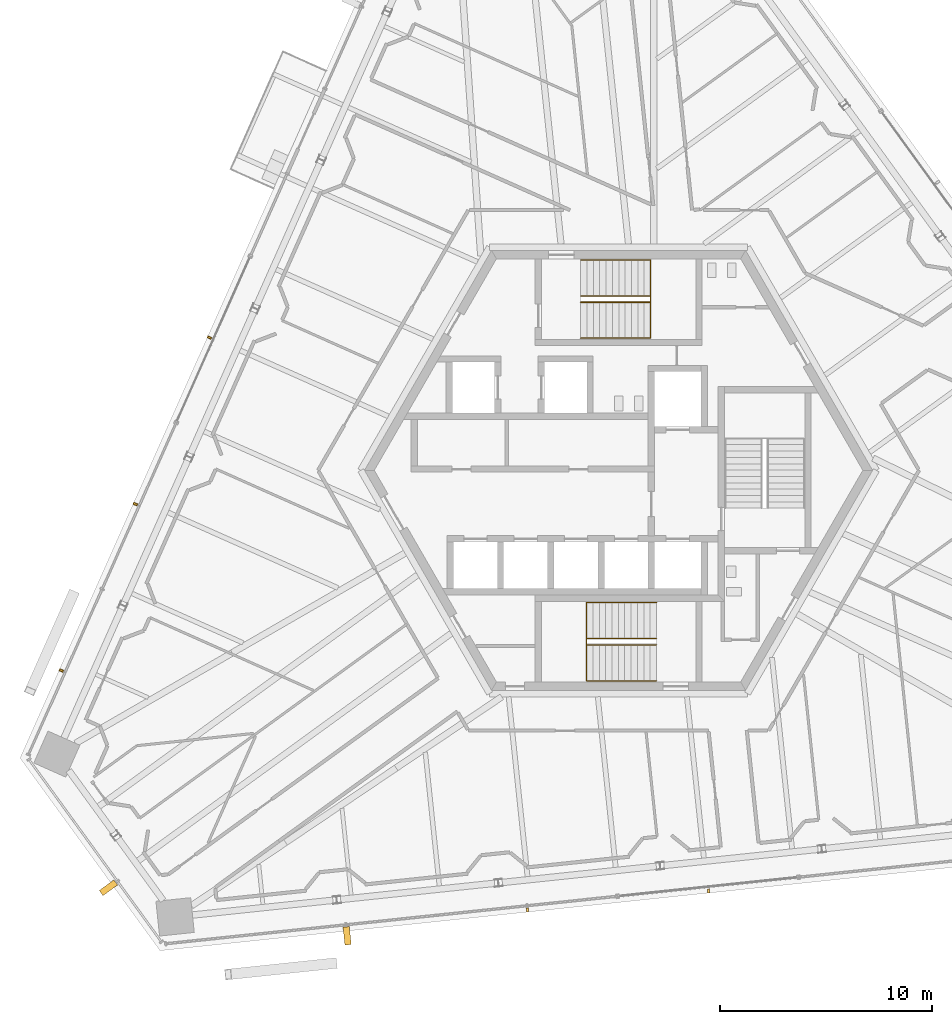
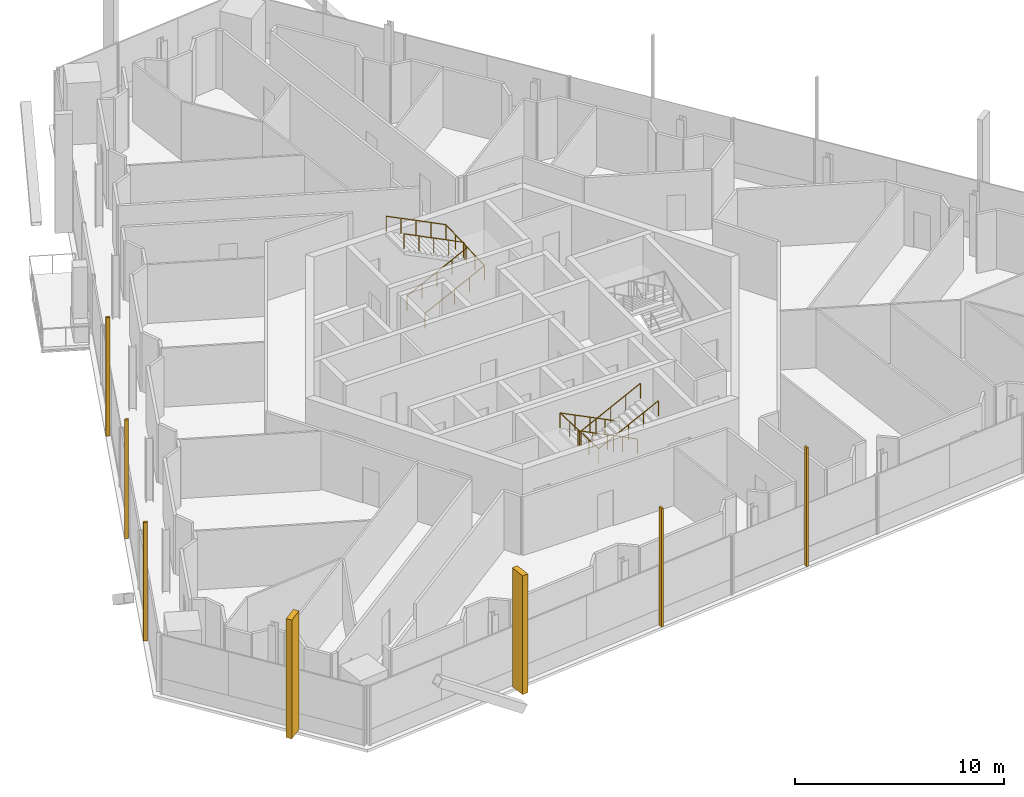
# One storey, part 16 of 21: 7 shading devices, 4 railings.
"""IFC4 building model written with IfcOpenShell, lengths in metres."""

from ifc_helpers import new_model, si_unit, direction, frame, origin, origin_2d, place, context, subcontext, project, spatial, rectangle, circle, extrude, source, transform, mapped, material, type_object, element, save


model = new_model("IFC4")

# Units and contexts
model_context = context("Model", 3, precision=1e-05, world=origin(), true_north=direction((0.0, 1.0)))
body_context = subcontext(model_context, "Body", "Model", "MODEL_VIEW")
ifc_project = project(units=[si_unit("LENGTHUNIT", "METRE"), si_unit("AREAUNIT", "SQUARE_METRE"), si_unit("VOLUMEUNIT", "CUBIC_METRE"), si_unit("PLANEANGLEUNIT", "RADIAN"), si_unit("MASSUNIT", "GRAM", prefix="KILO")], contexts=[model_context])

# Site, building, storey
site_placement = place(None, origin())
site = spatial("IfcSite", under=ifc_project, at=site_placement, CompositionType="ELEMENT")
building_placement = place(site_placement, origin())
building = spatial("IfcBuilding", under=site, at=building_placement, Name="Triune Harvest Tower", CompositionType="ELEMENT")
storey_placement = place(building_placement, frame((0.0, 0.0, 248.5)))
storey = spatial("IfcBuildingStorey", under=building, at=storey_placement, Name="L65", CompositionType="ELEMENT", Elevation=248.5)

# Railings
ifc_material_1 = material(Name="Stainless steel AISI 316", Category="steel")
railing_type = type_object("IfcRailingType", Name="Stair handrail", PredefinedType="HANDRAIL", material=ifc_material_1)
shared_shape_1 = source(origin(), body_context, "Body", "SweptSolid", [
    extrude(circle(Radius=0.02392578125, at=origin_2d()), frame((0.0, 0.0, 0.8759765625), z_axis=(0.894413956696, 0.0, 0.447240063129), x_axis=(0.0, 1.0, 0.0)), (0.0, 0.0, 1.0), 3.689697265625),
    extrude(circle(Radius=0.02392578125, at=origin_2d()), frame((3.300048828125, 0.0, 2.52587890625), z_axis=(0.0, 0.999180289278, 0.040481471304), x_axis=(-1.0, 0.0, 0.0)), (0.0, 0.0, 1.0), 3.702880859375),
    extrude(circle(Radius=0.02392578125, at=origin_2d()), frame((3.300048828125, 3.699951171875, 2.67578125), z_axis=(-0.894413956696, 0.0, 0.447240063129), x_axis=(0.0, -1.0, 0.0)), (0.0, 0.0, 1.0), 3.689697265625),
    extrude(circle(Radius=0.02099609375, at=origin_2d()), origin(), (0.0, 0.0, 1.0), 0.851806640625),
    extrude(circle(Radius=0.02099609375, at=origin_2d()), frame((0.824951171875, 0.0, 0.41259765625)), (0.0, 0.0, 1.0), 0.851806640625),
    extrude(circle(Radius=0.02099609375, at=origin_2d()), frame((1.64990234375, 0.0, 0.8251953125)), (0.0, 0.0, 1.0), 0.851806640625),
    extrude(circle(Radius=0.02099609375, at=origin_2d()), frame((2.47509765625, 0.0, 1.237548828125)), (0.0, 0.0, 1.0), 0.851806640625),
    extrude(circle(Radius=0.02099609375, at=origin_2d()), frame((3.300048828125, 0.0, 1.650146484375)), (0.0, 0.0, 1.0), 0.851806640625),
    extrude(circle(Radius=0.02099609375, at=origin_2d()), frame((3.300048828125, 0.925048828125, 1.6875)), (0.0, 0.0, 1.0), 0.851806640625),
    extrude(circle(Radius=0.02099609375, at=origin_2d()), frame((3.300048828125, 1.85009765625, 1.72509765625)), (0.0, 0.0, 1.0), 0.851806640625),
    extrude(circle(Radius=0.02099609375, at=origin_2d()), frame((3.300048828125, 2.77490234375, 1.7626953125)), (0.0, 0.0, 1.0), 0.851806640625),
    extrude(circle(Radius=0.02099609375, at=origin_2d()), frame((3.300048828125, 3.699951171875, 1.800048828125)), (0.0, 0.0, 1.0), 0.851806640625),
    extrude(circle(Radius=0.02099609375, at=origin_2d()), frame((2.47509765625, 3.699951171875, 2.212646484375)), (0.0, 0.0, 1.0), 0.851806640625),
    extrude(circle(Radius=0.02099609375, at=origin_2d()), frame((1.64990234375, 3.699951171875, 2.625)), (0.0, 0.0, 1.0), 0.851806640625),
    extrude(circle(Radius=0.02099609375, at=origin_2d()), frame((0.824951171875, 3.699951171875, 3.03759765625)), (0.0, 0.0, 1.0), 0.851806640625),
    extrude(circle(Radius=0.02099609375, at=origin_2d()), frame((0.0, 3.699951171875, 3.4501953125)), (0.0, 0.0, 1.0), 0.851806640625),
])
railing_1_placement = place(storey_placement, frame((-1.7900390625, 6.239990234375, 0.14990234375)))
element("IfcRailing", 1, at=railing_1_placement, inside=storey, type_object=railing_type, Name="Exit stair north wall handrail", PredefinedType="HANDRAIL", context=body_context, shape_type="MappedRepresentation", body=[
    mapped(shared_shape_1, transform((0.0, 0.0, 0.0), scale=1.0)),
])
shared_shape_2 = source(origin(), body_context, "Body", "SweptSolid", [
    extrude(circle(Radius=0.02392578125, at=origin_2d()), frame((0.0, 0.0, 0.8759765625), z_axis=(0.894413956696, 0.0, 0.447240063129), x_axis=(0.0, 1.0, 0.0)), (0.0, 0.0, 1.0), 3.689697265625),
    extrude(circle(Radius=0.02392578125, at=origin_2d()), frame((3.300048828125, 0.0, 2.52587890625), z_axis=(0.0, 0.894572720946, 0.446922417137), x_axis=(-1.0, 0.0, 0.0)), (0.0, 0.0, 1.0), 0.33544921875),
    extrude(circle(Radius=0.02392578125, at=origin_2d()), frame((3.300048828125, 0.300048828125, 2.67578125), z_axis=(-0.894413956696, 0.0, 0.447240063129), x_axis=(0.0, -1.0, 0.0)), (0.0, 0.0, 1.0), 3.689697265625),
    extrude(circle(Radius=0.02099609375, at=origin_2d()), origin(), (0.0, 0.0, 1.0), 0.851806640625),
    extrude(circle(Radius=0.02099609375, at=origin_2d()), frame((0.824951171875, 0.0, 0.41259765625)), (0.0, 0.0, 1.0), 0.851806640625),
    extrude(circle(Radius=0.02099609375, at=origin_2d()), frame((1.64990234375, 0.0, 0.8251953125)), (0.0, 0.0, 1.0), 0.851806640625),
    extrude(circle(Radius=0.02099609375, at=origin_2d()), frame((2.47509765625, 0.0, 1.237548828125)), (0.0, 0.0, 1.0), 0.851806640625),
    extrude(circle(Radius=0.02099609375, at=origin_2d()), frame((3.300048828125, 0.0, 1.650146484375)), (0.0, 0.0, 1.0), 0.851806640625),
    extrude(circle(Radius=0.02099609375, at=origin_2d()), frame((3.300048828125, 0.300048828125, 1.800048828125)), (0.0, 0.0, 1.0), 0.851806640625),
    extrude(circle(Radius=0.02099609375, at=origin_2d()), frame((2.47509765625, 0.300048828125, 2.212646484375)), (0.0, 0.0, 1.0), 0.851806640625),
    extrude(circle(Radius=0.02099609375, at=origin_2d()), frame((1.64990234375, 0.300048828125, 2.625)), (0.0, 0.0, 1.0), 0.851806640625),
    extrude(circle(Radius=0.02099609375, at=origin_2d()), frame((0.824951171875, 0.300048828125, 3.03759765625)), (0.0, 0.0, 1.0), 0.851806640625),
    extrude(circle(Radius=0.02099609375, at=origin_2d()), frame((0.0, 0.300048828125, 3.4501953125)), (0.0, 0.0, 1.0), 0.851806640625),
])
railing_2_placement = place(storey_placement, frame((-1.7900390625, 7.93994140625, 0.14990234375)))
element("IfcRailing", 2, at=railing_2_placement, inside=storey, type_object=railing_type, Name="Exit stair north centre handrail", PredefinedType="HANDRAIL", context=body_context, shape_type="MappedRepresentation", body=[
    mapped(shared_shape_2, transform((0.0, 0.0, 0.0), scale=1.0)),
])
shared_shape_3 = source(origin(), body_context, "Body", "SweptSolid", [
    extrude(circle(Radius=0.02392578125, at=origin_2d()), frame((0.0, 0.0, 0.8759765625), z_axis=(-0.894413956696, 0.0, 0.447240063129), x_axis=(0.0, -1.0, 0.0)), (0.0, 0.0, 1.0), 3.689697265625),
    extrude(circle(Radius=0.02392578125, at=origin_2d()), frame((-3.300048828125, 0.0, 2.52587890625), z_axis=(0.0, -0.999180289278, 0.040481471304), x_axis=(1.0, 0.0, 0.0)), (0.0, 0.0, 1.0), 3.702880859375),
    extrude(circle(Radius=0.02392578125, at=origin_2d()), frame((-3.300048828125, -3.699951171875, 2.67578125), z_axis=(0.894413956696, 0.0, 0.447240063129), x_axis=(0.0, 1.0, 0.0)), (0.0, 0.0, 1.0), 3.689697265625),
    extrude(circle(Radius=0.02099609375, at=origin_2d()), origin(), (0.0, 0.0, 1.0), 0.851806640625),
    extrude(circle(Radius=0.02099609375, at=origin_2d()), frame((-0.824951171875, 0.0, 0.41259765625)), (0.0, 0.0, 1.0), 0.851806640625),
    extrude(circle(Radius=0.02099609375, at=origin_2d()), frame((-1.64990234375, 0.0, 0.8251953125)), (0.0, 0.0, 1.0), 0.851806640625),
    extrude(circle(Radius=0.02099609375, at=origin_2d()), frame((-2.47509765625, 0.0, 1.237548828125)), (0.0, 0.0, 1.0), 0.851806640625),
    extrude(circle(Radius=0.02099609375, at=origin_2d()), frame((-3.300048828125, 0.0, 1.650146484375)), (0.0, 0.0, 1.0), 0.851806640625),
    extrude(circle(Radius=0.02099609375, at=origin_2d()), frame((-3.300048828125, -0.925048828125, 1.6875)), (0.0, 0.0, 1.0), 0.851806640625),
    extrude(circle(Radius=0.02099609375, at=origin_2d()), frame((-3.300048828125, -1.85009765625, 1.72509765625)), (0.0, 0.0, 1.0), 0.851806640625),
    extrude(circle(Radius=0.02099609375, at=origin_2d()), frame((-3.300048828125, -2.77490234375, 1.7626953125)), (0.0, 0.0, 1.0), 0.851806640625),
    extrude(circle(Radius=0.02099609375, at=origin_2d()), frame((-3.300048828125, -3.699951171875, 1.800048828125)), (0.0, 0.0, 1.0), 0.851806640625),
    extrude(circle(Radius=0.02099609375, at=origin_2d()), frame((-2.47509765625, -3.699951171875, 2.212646484375)), (0.0, 0.0, 1.0), 0.851806640625),
    extrude(circle(Radius=0.02099609375, at=origin_2d()), frame((-1.64990234375, -3.699951171875, 2.625)), (0.0, 0.0, 1.0), 0.851806640625),
    extrude(circle(Radius=0.02099609375, at=origin_2d()), frame((-0.824951171875, -3.699951171875, 3.03759765625)), (0.0, 0.0, 1.0), 0.851806640625),
    extrude(circle(Radius=0.02099609375, at=origin_2d()), frame((0.0, -3.699951171875, 3.4501953125)), (0.0, 0.0, 1.0), 0.851806640625),
])
railing_3_placement = place(storey_placement, frame((1.7900390625, -6.239990234375, 0.14990234375)))
element("IfcRailing", 3, at=railing_3_placement, inside=storey, type_object=railing_type, Name="Exit stair south wall handrail", PredefinedType="HANDRAIL", context=body_context, shape_type="MappedRepresentation", body=[
    mapped(shared_shape_3, transform((0.0, 0.0, 0.0), scale=1.0)),
])
shared_shape_4 = source(origin(), body_context, "Body", "SweptSolid", [
    extrude(circle(Radius=0.02392578125, at=origin_2d()), frame((0.0, 0.0, 0.8759765625), z_axis=(-0.894413956696, 0.0, 0.447240063129), x_axis=(0.0, -1.0, 0.0)), (0.0, 0.0, 1.0), 3.689697265625),
    extrude(circle(Radius=0.02392578125, at=origin_2d()), frame((-3.300048828125, 0.0, 2.52587890625), z_axis=(0.0, -0.894572720946, 0.446922417137), x_axis=(1.0, 0.0, 0.0)), (0.0, 0.0, 1.0), 0.33544921875),
    extrude(circle(Radius=0.02392578125, at=origin_2d()), frame((-3.300048828125, -0.300048828125, 2.67578125), z_axis=(0.894413956696, 0.0, 0.447240063129), x_axis=(0.0, 1.0, 0.0)), (0.0, 0.0, 1.0), 3.689697265625),
    extrude(circle(Radius=0.02099609375, at=origin_2d()), origin(), (0.0, 0.0, 1.0), 0.851806640625),
    extrude(circle(Radius=0.02099609375, at=origin_2d()), frame((-0.824951171875, 0.0, 0.41259765625)), (0.0, 0.0, 1.0), 0.851806640625),
    extrude(circle(Radius=0.02099609375, at=origin_2d()), frame((-1.64990234375, 0.0, 0.8251953125)), (0.0, 0.0, 1.0), 0.851806640625),
    extrude(circle(Radius=0.02099609375, at=origin_2d()), frame((-2.47509765625, 0.0, 1.237548828125)), (0.0, 0.0, 1.0), 0.851806640625),
    extrude(circle(Radius=0.02099609375, at=origin_2d()), frame((-3.300048828125, 0.0, 1.650146484375)), (0.0, 0.0, 1.0), 0.851806640625),
    extrude(circle(Radius=0.02099609375, at=origin_2d()), frame((-3.300048828125, -0.300048828125, 1.800048828125)), (0.0, 0.0, 1.0), 0.851806640625),
    extrude(circle(Radius=0.02099609375, at=origin_2d()), frame((-2.47509765625, -0.300048828125, 2.212646484375)), (0.0, 0.0, 1.0), 0.851806640625),
    extrude(circle(Radius=0.02099609375, at=origin_2d()), frame((-1.64990234375, -0.300048828125, 2.625)), (0.0, 0.0, 1.0), 0.851806640625),
    extrude(circle(Radius=0.02099609375, at=origin_2d()), frame((-0.824951171875, -0.300048828125, 3.03759765625)), (0.0, 0.0, 1.0), 0.851806640625),
    extrude(circle(Radius=0.02099609375, at=origin_2d()), frame((0.0, -0.300048828125, 3.4501953125)), (0.0, 0.0, 1.0), 0.851806640625),
])
railing_4_placement = place(storey_placement, frame((1.7900390625, -7.93994140625, 0.14990234375)))
element("IfcRailing", 4, at=railing_4_placement, inside=storey, type_object=railing_type, Name="Exit stair south centre handrail", PredefinedType="HANDRAIL", context=body_context, shape_type="MappedRepresentation", body=[
    mapped(shared_shape_4, transform((0.0, 0.0, 0.0), scale=1.0)),
])

# Shading devices
ifc_material_2 = material(Name="Aluminium bronze anodised", Category="aluminium")
shared_shape_5 = source(origin(), body_context, "Body", "SweptSolid", [
    extrude(rectangle(XDim=0.300048828125, YDim=0.85009765625, at=origin_2d()), origin(), (0.0, 0.0, 1.0), 6.949951171875),
])
for number, where, z_axis, x_axis, name in (
    (5, (-24.098388671875, -19.718505859375, 0.0), (0.0, 0.0, 1.0), (0.587788936013, -0.809014317982, 0.0), "FN-2 fin B6-F4.3 L65"),
    (6, (-12.82177734375, -21.9892578125, 0.0), (0.0, 0.0, 1.0), (0.994521747579, 0.104529869379, 0.0), "FN-2 fin B6-F5.3 L65"),
):
    element("IfcShadingDevice", number, at=place(storey_placement, frame(where, z_axis=z_axis, x_axis=x_axis)), inside=storey, material=ifc_material_2, Name=name, ObjectType="FIN", PredefinedType="USERDEFINED", context=body_context, shape_type="MappedRepresentation", body=[
        mapped(shared_shape_5, transform((0.0, 0.0, 0.0), scale=1.0)),
    ])
shared_shape_6 = source(origin(), body_context, "Body", "SweptSolid", [
    extrude(rectangle(XDim=0.10009765625, YDim=0.199951171875, at=origin_2d()), origin(), (0.0, 0.0, 1.0), 6.949951171875),
])
for number, where, z_axis, x_axis, name in (
    (7, (-19.32421875, 6.269287109375, 0.0), (0.0, 0.0, 1.0), (-0.406737912248, -0.91354489257, 0.0), "FN-1 fin B6-F3.7 L65"),
    (8, (-22.824951171875, -1.593505859375, 0.0), (0.0, 0.0, 1.0), (-0.406737912248, -0.91354489257, 0.0), "FN-1 fin B6-F3.9 L65"),
    (9, (-26.32568359375, -9.45654296875, 0.0), (0.0, 0.0, 1.0), (-0.406737912248, -0.91354489257, 0.0), "FN-1 fin B6-F3.11 L65"),
    (10, (-4.302734375, -20.76708984375, 0.0), (0.0, 0.0, 1.0), (0.994521747579, 0.104529869379, 0.0), "FN-1 fin B6-F5.5 L65"),
    (11, (4.25, -19.867919921875, 0.0), (0.0, 0.0, 1.0), (0.994521747579, 0.104529869379, 0.0), "FN-1 fin B6-F5.7 L65"),
):
    element("IfcShadingDevice", number, at=place(storey_placement, frame(where, z_axis=z_axis, x_axis=x_axis)), inside=storey, material=ifc_material_2, Name=name, ObjectType="FIN", PredefinedType="USERDEFINED", context=body_context, shape_type="MappedRepresentation", body=[
        mapped(shared_shape_6, transform((0.0, 0.0, 0.0), scale=1.0)),
    ])

save(model, "model.ifc")
